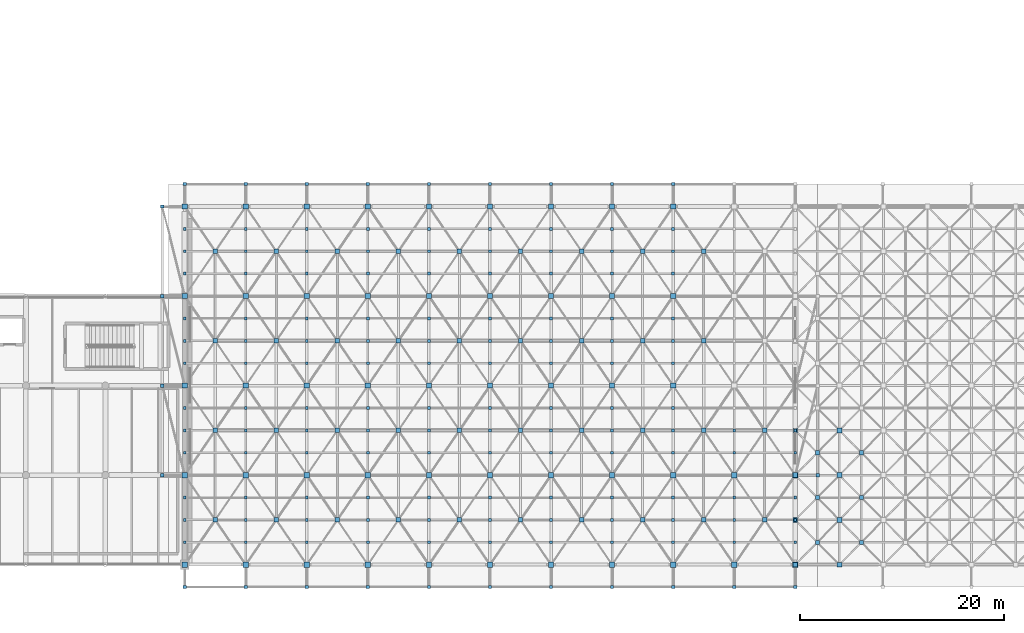
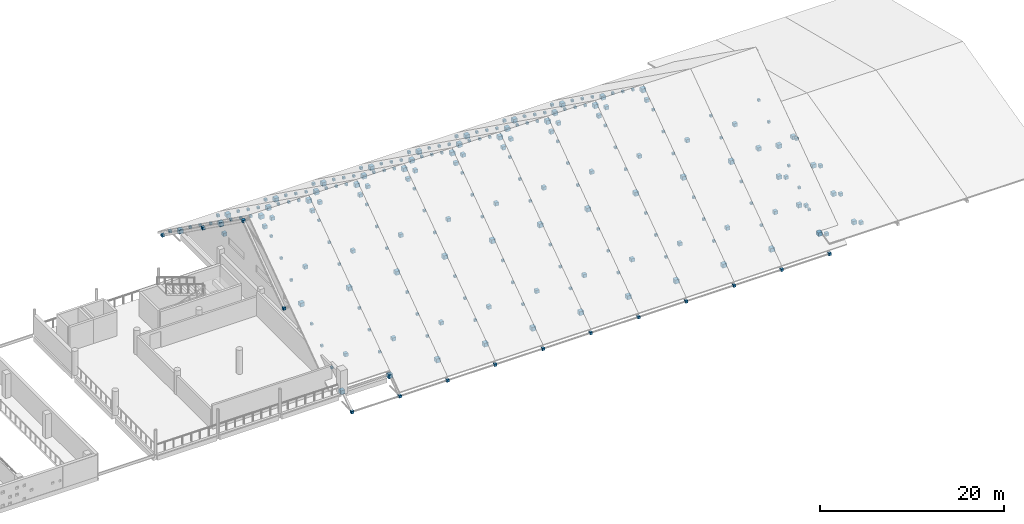
# One storey, part 37 of 55: 244 plates.
"""IFC4 building model written with IfcOpenShell, lengths in metres."""

from ifc_helpers import new_model, si_unit, direction, frame, origin, origin_2d, place, context, subcontext, project, spatial, rectangle, extrude, material, layer, layer_set, type_object, element, save


model = new_model("IFC4")

# Units and contexts
model_context = context("Model", 3, precision=1e-05, world=origin(), true_north=direction((0.0, 1.0)))
body_context = subcontext(model_context, "Body", "Model", "MODEL_VIEW")
ifc_project = project(units=[si_unit("LENGTHUNIT", "METRE"), si_unit("AREAUNIT", "SQUARE_METRE"), si_unit("VOLUMEUNIT", "CUBIC_METRE"), si_unit("PLANEANGLEUNIT", "RADIAN"), si_unit("MASSUNIT", "GRAM", prefix="KILO")], contexts=[model_context])

# Site, building, storey
site_placement = place(None, origin())
site = spatial("IfcSite", under=ifc_project, at=site_placement, CompositionType="ELEMENT")
building_placement = place(site_placement, origin())
building = spatial("IfcBuilding", under=site, at=building_placement, Name="Varnakota Cinema and Media Centre", CompositionType="ELEMENT")
storey_placement = place(building_placement, frame((0.0, 0.0, 15.60009765625)))
storey = spatial("IfcBuildingStorey", under=building, at=storey_placement, Name="L04", CompositionType="ELEMENT", Elevation=15.60009765625)

# Plates
ifc_material_1 = material(Name="Structural steel Grade 350 (E350)", Category="steel")
ifc_layer_1 = layer(ifc_material_1, 0.01611328125)
ifc_layer_set_1 = layer_set([ifc_layer_1], Name="Structural steel Grade 350 (E350)")
plate_type_1 = type_object("IfcPlateType", Name="PL-NODE-16", PredefinedType="SHEET", material=ifc_layer_set_1)
for number, where, z_axis, x_axis, name in (
    (1, (75.0, -2.199951171875, -1.43505859375), (0.0, 0.0, 1.0), (1.0, 0.0, 0.0), "V1 S eave tip node 1"),
    (2, (75.0, 37.39990234375, -1.43505859375), (0.0, 0.0, 1.0), (1.0, 0.0, 0.0), "V1 N eave tip node 1"),
    (3, (81.0, -2.199951171875, -1.43505859375), (0.0, 0.0, 1.0), (1.0, 0.0, 0.0), "V1 S eave tip node 2"),
    (4, (81.0, 37.39990234375, -1.43505859375), (0.0, 0.0, 1.0), (1.0, 0.0, 0.0), "V1 N eave tip node 2"),
    (5, (87.0, -2.199951171875, -1.43505859375), (0.0, 0.0, 1.0), (1.0, 0.0, 0.0), "V1 S eave tip node 3"),
    (6, (87.0, 37.39990234375, -1.43505859375), (0.0, 0.0, 1.0), (1.0, 0.0, 0.0), "V1 N eave tip node 3"),
    (7, (93.0, -2.199951171875, -1.43505859375), (0.0, 0.0, 1.0), (1.0, 0.0, 0.0), "V1 S eave tip node 4"),
    (8, (93.0, 37.39990234375, -1.43505859375), (0.0, 0.0, 1.0), (1.0, 0.0, 0.0), "V1 N eave tip node 4"),
    (9, (99.0, -2.199951171875, -1.43505859375), (0.0, 0.0, 1.0), (1.0, 0.0, 0.0), "V1 S eave tip node 5"),
    (10, (99.0, 37.39990234375, -1.43505859375), (0.0, 0.0, 1.0), (1.0, 0.0, 0.0), "V1 N eave tip node 5"),
    (11, (105.0, -2.199951171875, -1.43505859375), (0.0, 0.0, 1.0), (1.0, 0.0, 0.0), "V1 S eave tip node 6"),
    (12, (105.0, 37.39990234375, -1.43505859375), (0.0, 0.0, 1.0), (1.0, 0.0, 0.0), "V1 N eave tip node 6"),
    (13, (111.0, -2.199951171875, -1.43505859375), (0.0, 0.0, 1.0), (1.0, 0.0, 0.0), "V1 S eave tip node 7"),
    (14, (111.0, 37.39990234375, -1.43505859375), (0.0, 0.0, 1.0), (1.0, 0.0, 0.0), "V1 N eave tip node 7"),
    (15, (117.0, -2.199951171875, -1.43505859375), (0.0, 0.0, 1.0), (1.0, 0.0, 0.0), "V1 S eave tip node 8"),
    (16, (117.0, 37.39990234375, -1.43505859375), (0.0, 0.0, 1.0), (1.0, 0.0, 0.0), "V1 N eave tip node 8"),
    (17, (123.0, -2.199951171875, -1.43505859375), (0.0, 0.0, 1.0), (1.0, 0.0, 0.0), "V1 S eave tip node 9"),
    (18, (123.0, 37.39990234375, -1.43505859375), (0.0, 0.0, 1.0), (1.0, 0.0, 0.0), "V1 N eave tip node 9"),
    (19, (129.0, -2.199951171875, -1.43505859375), (0.0, 0.0, 1.0), (1.0, 0.0, 0.0), "V1 S eave tip node 10"),
    (20, (135.0, -2.199951171875, -1.43505859375), (0.0, 0.0, 1.0), (1.0, 0.0, 0.0), "V1 S eave tip node 11"),
):
    element("IfcPlate", number, at=place(storey_placement, frame(where, z_axis=z_axis, x_axis=x_axis)), inside=storey, type_object=plate_type_1, Name=name, PredefinedType="SHEET", context=body_context, shape_type="SweptSolid", body=[
        extrude(rectangle(XDim=0.320068359375, YDim=0.320068359375, at=origin_2d()), origin(), (0.0, 0.0, 1.0), 0.320068359375),
    ])
for number, where, z_axis, x_axis, name in (
    (21, (72.800048828125, 8.800048828125, 6.4296875), (0.0, 0.0, 1.0), (1.0, 0.0, 0.0), "V1 W gable outrigger node 2"),
    (22, (72.800048828125, 17.60009765625, 12.72998046875), (0.0, 0.0, 1.0), (1.0, 0.0, 0.0), "V1 W gable outrigger node 3"),
    (23, (72.800048828125, 26.39990234375, 6.4296875), (0.0, 0.0, 1.0), (1.0, 0.0, 0.0), "V1 W gable outrigger node 4"),
    (24, (72.800048828125, 35.199951171875, 0.1298828125), (0.0, 0.0, 1.0), (1.0, 0.0, 0.0), "V1 W gable outrigger node 5"),
    (25, (137.199951171875, 8.800048828125, 6.4296875), (0.0, 0.0, 1.0), (1.0, 0.0, 0.0), "V1 E gable outrigger node 2"),
):
    element("IfcPlate", number, at=place(storey_placement, frame(where, z_axis=z_axis, x_axis=x_axis)), inside=storey, type_object=plate_type_1, Name=name, PredefinedType="SHEET", context=body_context, shape_type="SweptSolid", body=[
        extrude(rectangle(XDim=0.340087890625, YDim=0.340087890625, at=origin_2d()), origin(), (0.0, 0.0, 1.0), 0.340087890625),
    ])
for number, where, z_axis, x_axis, name in (
    (26, (75.0, 2.199951171875, 1.81494140625), (0.0, 0.0, 1.0), (1.0, 0.0, 0.0), "V1 purlin node plate 1.1"),
    (27, (81.0, 2.199951171875, 1.81494140625), (0.0, 0.0, 1.0), (1.0, 0.0, 0.0), "V1 purlin node plate 1.2"),
    (28, (87.0, 2.199951171875, 1.81494140625), (0.0, 0.0, 1.0), (1.0, 0.0, 0.0), "V1 purlin node plate 1.3"),
    (29, (93.0, 2.199951171875, 1.81494140625), (0.0, 0.0, 1.0), (1.0, 0.0, 0.0), "V1 purlin node plate 1.4"),
    (30, (99.0, 2.199951171875, 1.81494140625), (0.0, 0.0, 1.0), (1.0, 0.0, 0.0), "V1 purlin node plate 1.5"),
    (31, (105.0, 2.199951171875, 1.81494140625), (0.0, 0.0, 1.0), (1.0, 0.0, 0.0), "V1 purlin node plate 1.6"),
    (32, (111.0, 2.199951171875, 1.81494140625), (0.0, 0.0, 1.0), (1.0, 0.0, 0.0), "V1 purlin node plate 1.7"),
    (33, (117.0, 2.199951171875, 1.81494140625), (0.0, 0.0, 1.0), (1.0, 0.0, 0.0), "V1 purlin node plate 1.8"),
    (34, (123.0, 2.199951171875, 1.81494140625), (0.0, 0.0, 1.0), (1.0, 0.0, 0.0), "V1 purlin node plate 1.9"),
    (35, (129.0, 2.199951171875, 1.81494140625), (0.0, 0.0, 1.0), (1.0, 0.0, 0.0), "V1 purlin node plate 1.10"),
    (36, (135.0, 2.199951171875, 1.81494140625), (0.0, 0.0, 1.0), (1.0, 0.0, 0.0), "V1 purlin node plate 1.11"),
    (37, (75.0, 4.39990234375, 3.3896484375), (0.0, 0.0, 1.0), (1.0, 0.0, 0.0), "V1 purlin node plate 2.1"),
    (38, (81.0, 4.39990234375, 3.3896484375), (0.0, 0.0, 1.0), (1.0, 0.0, 0.0), "V1 purlin node plate 2.2"),
    (39, (87.0, 4.39990234375, 3.3896484375), (0.0, 0.0, 1.0), (1.0, 0.0, 0.0), "V1 purlin node plate 2.3"),
    (40, (93.0, 4.39990234375, 3.3896484375), (0.0, 0.0, 1.0), (1.0, 0.0, 0.0), "V1 purlin node plate 2.4"),
    (41, (99.0, 4.39990234375, 3.3896484375), (0.0, 0.0, 1.0), (1.0, 0.0, 0.0), "V1 purlin node plate 2.5"),
    (42, (105.0, 4.39990234375, 3.3896484375), (0.0, 0.0, 1.0), (1.0, 0.0, 0.0), "V1 purlin node plate 2.6"),
    (43, (111.0, 4.39990234375, 3.3896484375), (0.0, 0.0, 1.0), (1.0, 0.0, 0.0), "V1 purlin node plate 2.7"),
    (44, (117.0, 4.39990234375, 3.3896484375), (0.0, 0.0, 1.0), (1.0, 0.0, 0.0), "V1 purlin node plate 2.8"),
    (45, (123.0, 4.39990234375, 3.3896484375), (0.0, 0.0, 1.0), (1.0, 0.0, 0.0), "V1 purlin node plate 2.9"),
    (46, (129.0, 4.39990234375, 3.3896484375), (0.0, 0.0, 1.0), (1.0, 0.0, 0.0), "V1 purlin node plate 2.10"),
    (47, (135.0, 4.39990234375, 3.3896484375), (0.0, 0.0, 1.0), (1.0, 0.0, 0.0), "V1 purlin node plate 2.11"),
    (48, (75.0, 6.60009765625, 4.96484375), (0.0, 0.0, 1.0), (1.0, 0.0, 0.0), "V1 purlin node plate 3.1"),
    (49, (81.0, 6.60009765625, 4.96484375), (0.0, 0.0, 1.0), (1.0, 0.0, 0.0), "V1 purlin node plate 3.2"),
    (50, (87.0, 6.60009765625, 4.96484375), (0.0, 0.0, 1.0), (1.0, 0.0, 0.0), "V1 purlin node plate 3.3"),
    (51, (93.0, 6.60009765625, 4.96484375), (0.0, 0.0, 1.0), (1.0, 0.0, 0.0), "V1 purlin node plate 3.4"),
    (52, (99.0, 6.60009765625, 4.96484375), (0.0, 0.0, 1.0), (1.0, 0.0, 0.0), "V1 purlin node plate 3.5"),
    (53, (105.0, 6.60009765625, 4.96484375), (0.0, 0.0, 1.0), (1.0, 0.0, 0.0), "V1 purlin node plate 3.6"),
    (54, (111.0, 6.60009765625, 4.96484375), (0.0, 0.0, 1.0), (1.0, 0.0, 0.0), "V1 purlin node plate 3.7"),
    (55, (117.0, 6.60009765625, 4.96484375), (0.0, 0.0, 1.0), (1.0, 0.0, 0.0), "V1 purlin node plate 3.8"),
    (56, (123.0, 6.60009765625, 4.96484375), (0.0, 0.0, 1.0), (1.0, 0.0, 0.0), "V1 purlin node plate 3.9"),
    (57, (129.0, 6.60009765625, 4.96484375), (0.0, 0.0, 1.0), (1.0, 0.0, 0.0), "V1 purlin node plate 3.10"),
    (58, (135.0, 6.60009765625, 4.96484375), (0.0, 0.0, 1.0), (1.0, 0.0, 0.0), "V1 purlin node plate 3.11"),
    (59, (75.0, 11.0, 8.11474609375), (0.0, 0.0, 1.0), (1.0, 0.0, 0.0), "V1 purlin node plate 4.1"),
    (60, (81.0, 11.0, 8.11474609375), (0.0, 0.0, 1.0), (1.0, 0.0, 0.0), "V1 purlin node plate 4.2"),
    (61, (87.0, 11.0, 8.11474609375), (0.0, 0.0, 1.0), (1.0, 0.0, 0.0), "V1 purlin node plate 4.3"),
    (62, (93.0, 11.0, 8.11474609375), (0.0, 0.0, 1.0), (1.0, 0.0, 0.0), "V1 purlin node plate 4.4"),
    (63, (99.0, 11.0, 8.11474609375), (0.0, 0.0, 1.0), (1.0, 0.0, 0.0), "V1 purlin node plate 4.5"),
    (64, (105.0, 11.0, 8.11474609375), (0.0, 0.0, 1.0), (1.0, 0.0, 0.0), "V1 purlin node plate 4.6"),
    (65, (111.0, 11.0, 8.11474609375), (0.0, 0.0, 1.0), (1.0, 0.0, 0.0), "V1 purlin node plate 4.7"),
    (66, (117.0, 11.0, 8.11474609375), (0.0, 0.0, 1.0), (1.0, 0.0, 0.0), "V1 purlin node plate 4.8"),
    (67, (123.0, 11.0, 8.11474609375), (0.0, 0.0, 1.0), (1.0, 0.0, 0.0), "V1 purlin node plate 4.9"),
    (68, (129.0, 11.0, 8.11474609375), (0.0, 0.0, 1.0), (1.0, 0.0, 0.0), "V1 purlin node plate 4.10"),
    (69, (135.0, 11.0, 8.11474609375), (0.0, 0.0, 1.0), (1.0, 0.0, 0.0), "V1 purlin node plate 4.11"),
    (70, (75.0, 13.199951171875, 9.68994140625), (0.0, 0.0, 1.0), (1.0, 0.0, 0.0), "V1 purlin node plate 5.1"),
    (71, (81.0, 13.199951171875, 9.68994140625), (0.0, 0.0, 1.0), (1.0, 0.0, 0.0), "V1 purlin node plate 5.2"),
    (72, (87.0, 13.199951171875, 9.68994140625), (0.0, 0.0, 1.0), (1.0, 0.0, 0.0), "V1 purlin node plate 5.3"),
    (73, (93.0, 13.199951171875, 9.68994140625), (0.0, 0.0, 1.0), (1.0, 0.0, 0.0), "V1 purlin node plate 5.4"),
    (74, (99.0, 13.199951171875, 9.68994140625), (0.0, 0.0, 1.0), (1.0, 0.0, 0.0), "V1 purlin node plate 5.5"),
    (75, (105.0, 13.199951171875, 9.68994140625), (0.0, 0.0, 1.0), (1.0, 0.0, 0.0), "V1 purlin node plate 5.6"),
    (76, (111.0, 13.199951171875, 9.68994140625), (0.0, 0.0, 1.0), (1.0, 0.0, 0.0), "V1 purlin node plate 5.7"),
    (77, (117.0, 13.199951171875, 9.68994140625), (0.0, 0.0, 1.0), (1.0, 0.0, 0.0), "V1 purlin node plate 5.8"),
    (78, (123.0, 13.199951171875, 9.68994140625), (0.0, 0.0, 1.0), (1.0, 0.0, 0.0), "V1 purlin node plate 5.9"),
    (79, (129.0, 13.199951171875, 9.68994140625), (0.0, 0.0, 1.0), (1.0, 0.0, 0.0), "V1 purlin node plate 5.10"),
    (80, (135.0, 13.199951171875, 9.68994140625), (0.0, 0.0, 1.0), (1.0, 0.0, 0.0), "V1 purlin node plate 5.11"),
    (81, (75.0, 15.39990234375, 11.2646484375), (0.0, 0.0, 1.0), (1.0, 0.0, 0.0), "V1 purlin node plate 6.1"),
    (82, (81.0, 15.39990234375, 11.2646484375), (0.0, 0.0, 1.0), (1.0, 0.0, 0.0), "V1 purlin node plate 6.2"),
    (83, (87.0, 15.39990234375, 11.2646484375), (0.0, 0.0, 1.0), (1.0, 0.0, 0.0), "V1 purlin node plate 6.3"),
    (84, (93.0, 15.39990234375, 11.2646484375), (0.0, 0.0, 1.0), (1.0, 0.0, 0.0), "V1 purlin node plate 6.4"),
    (85, (99.0, 15.39990234375, 11.2646484375), (0.0, 0.0, 1.0), (1.0, 0.0, 0.0), "V1 purlin node plate 6.5"),
    (86, (105.0, 15.39990234375, 11.2646484375), (0.0, 0.0, 1.0), (1.0, 0.0, 0.0), "V1 purlin node plate 6.6"),
    (87, (111.0, 15.39990234375, 11.2646484375), (0.0, 0.0, 1.0), (1.0, 0.0, 0.0), "V1 purlin node plate 6.7"),
    (88, (117.0, 15.39990234375, 11.2646484375), (0.0, 0.0, 1.0), (1.0, 0.0, 0.0), "V1 purlin node plate 6.8"),
    (89, (123.0, 15.39990234375, 11.2646484375), (0.0, 0.0, 1.0), (1.0, 0.0, 0.0), "V1 purlin node plate 6.9"),
    (90, (75.0, 19.800048828125, 11.2646484375), (0.0, 0.0, 1.0), (1.0, 0.0, 0.0), "V1 purlin node plate 7.1"),
    (91, (81.0, 19.800048828125, 11.2646484375), (0.0, 0.0, 1.0), (1.0, 0.0, 0.0), "V1 purlin node plate 7.2"),
    (92, (87.0, 19.800048828125, 11.2646484375), (0.0, 0.0, 1.0), (1.0, 0.0, 0.0), "V1 purlin node plate 7.3"),
    (93, (93.0, 19.800048828125, 11.2646484375), (0.0, 0.0, 1.0), (1.0, 0.0, 0.0), "V1 purlin node plate 7.4"),
    (94, (99.0, 19.800048828125, 11.2646484375), (0.0, 0.0, 1.0), (1.0, 0.0, 0.0), "V1 purlin node plate 7.5"),
    (95, (105.0, 19.800048828125, 11.2646484375), (0.0, 0.0, 1.0), (1.0, 0.0, 0.0), "V1 purlin node plate 7.6"),
    (96, (111.0, 19.800048828125, 11.2646484375), (0.0, 0.0, 1.0), (1.0, 0.0, 0.0), "V1 purlin node plate 7.7"),
    (97, (117.0, 19.800048828125, 11.2646484375), (0.0, 0.0, 1.0), (1.0, 0.0, 0.0), "V1 purlin node plate 7.8"),
    (98, (123.0, 19.800048828125, 11.2646484375), (0.0, 0.0, 1.0), (1.0, 0.0, 0.0), "V1 purlin node plate 7.9"),
    (99, (75.0, 22.0, 9.68994140625), (0.0, 0.0, 1.0), (1.0, 0.0, 0.0), "V1 purlin node plate 8.1"),
    (100, (81.0, 22.0, 9.68994140625), (0.0, 0.0, 1.0), (1.0, 0.0, 0.0), "V1 purlin node plate 8.2"),
    (101, (87.0, 22.0, 9.68994140625), (0.0, 0.0, 1.0), (1.0, 0.0, 0.0), "V1 purlin node plate 8.3"),
    (102, (93.0, 22.0, 9.68994140625), (0.0, 0.0, 1.0), (1.0, 0.0, 0.0), "V1 purlin node plate 8.4"),
    (103, (99.0, 22.0, 9.68994140625), (0.0, 0.0, 1.0), (1.0, 0.0, 0.0), "V1 purlin node plate 8.5"),
    (104, (105.0, 22.0, 9.68994140625), (0.0, 0.0, 1.0), (1.0, 0.0, 0.0), "V1 purlin node plate 8.6"),
    (105, (111.0, 22.0, 9.68994140625), (0.0, 0.0, 1.0), (1.0, 0.0, 0.0), "V1 purlin node plate 8.7"),
    (106, (117.0, 22.0, 9.68994140625), (0.0, 0.0, 1.0), (1.0, 0.0, 0.0), "V1 purlin node plate 8.8"),
    (107, (123.0, 22.0, 9.68994140625), (0.0, 0.0, 1.0), (1.0, 0.0, 0.0), "V1 purlin node plate 8.9"),
    (108, (75.0, 24.199951171875, 8.11474609375), (0.0, 0.0, 1.0), (1.0, 0.0, 0.0), "V1 purlin node plate 9.1"),
    (109, (81.0, 24.199951171875, 8.11474609375), (0.0, 0.0, 1.0), (1.0, 0.0, 0.0), "V1 purlin node plate 9.2"),
    (110, (87.0, 24.199951171875, 8.11474609375), (0.0, 0.0, 1.0), (1.0, 0.0, 0.0), "V1 purlin node plate 9.3"),
    (111, (93.0, 24.199951171875, 8.11474609375), (0.0, 0.0, 1.0), (1.0, 0.0, 0.0), "V1 purlin node plate 9.4"),
    (112, (99.0, 24.199951171875, 8.11474609375), (0.0, 0.0, 1.0), (1.0, 0.0, 0.0), "V1 purlin node plate 9.5"),
    (113, (105.0, 24.199951171875, 8.11474609375), (0.0, 0.0, 1.0), (1.0, 0.0, 0.0), "V1 purlin node plate 9.6"),
    (114, (111.0, 24.199951171875, 8.11474609375), (0.0, 0.0, 1.0), (1.0, 0.0, 0.0), "V1 purlin node plate 9.7"),
    (115, (117.0, 24.199951171875, 8.11474609375), (0.0, 0.0, 1.0), (1.0, 0.0, 0.0), "V1 purlin node plate 9.8"),
    (116, (123.0, 24.199951171875, 8.11474609375), (0.0, 0.0, 1.0), (1.0, 0.0, 0.0), "V1 purlin node plate 9.9"),
    (117, (75.0, 28.60009765625, 4.96484375), (0.0, 0.0, 1.0), (1.0, 0.0, 0.0), "V1 purlin node plate 10.1"),
    (118, (81.0, 28.60009765625, 4.96484375), (0.0, 0.0, 1.0), (1.0, 0.0, 0.0), "V1 purlin node plate 10.2"),
    (119, (87.0, 28.60009765625, 4.96484375), (0.0, 0.0, 1.0), (1.0, 0.0, 0.0), "V1 purlin node plate 10.3"),
    (120, (93.0, 28.60009765625, 4.96484375), (0.0, 0.0, 1.0), (1.0, 0.0, 0.0), "V1 purlin node plate 10.4"),
    (121, (99.0, 28.60009765625, 4.96484375), (0.0, 0.0, 1.0), (1.0, 0.0, 0.0), "V1 purlin node plate 10.5"),
    (122, (105.0, 28.60009765625, 4.96484375), (0.0, 0.0, 1.0), (1.0, 0.0, 0.0), "V1 purlin node plate 10.6"),
    (123, (111.0, 28.60009765625, 4.96484375), (0.0, 0.0, 1.0), (1.0, 0.0, 0.0), "V1 purlin node plate 10.7"),
    (124, (117.0, 28.60009765625, 4.96484375), (0.0, 0.0, 1.0), (1.0, 0.0, 0.0), "V1 purlin node plate 10.8"),
    (125, (123.0, 28.60009765625, 4.96484375), (0.0, 0.0, 1.0), (1.0, 0.0, 0.0), "V1 purlin node plate 10.9"),
    (126, (75.0, 30.800048828125, 3.3896484375), (0.0, 0.0, 1.0), (1.0, 0.0, 0.0), "V1 purlin node plate 11.1"),
    (127, (81.0, 30.800048828125, 3.3896484375), (0.0, 0.0, 1.0), (1.0, 0.0, 0.0), "V1 purlin node plate 11.2"),
    (128, (87.0, 30.800048828125, 3.3896484375), (0.0, 0.0, 1.0), (1.0, 0.0, 0.0), "V1 purlin node plate 11.3"),
    (129, (93.0, 30.800048828125, 3.3896484375), (0.0, 0.0, 1.0), (1.0, 0.0, 0.0), "V1 purlin node plate 11.4"),
    (130, (99.0, 30.800048828125, 3.3896484375), (0.0, 0.0, 1.0), (1.0, 0.0, 0.0), "V1 purlin node plate 11.5"),
    (131, (105.0, 30.800048828125, 3.3896484375), (0.0, 0.0, 1.0), (1.0, 0.0, 0.0), "V1 purlin node plate 11.6"),
    (132, (111.0, 30.800048828125, 3.3896484375), (0.0, 0.0, 1.0), (1.0, 0.0, 0.0), "V1 purlin node plate 11.7"),
    (133, (117.0, 30.800048828125, 3.3896484375), (0.0, 0.0, 1.0), (1.0, 0.0, 0.0), "V1 purlin node plate 11.8"),
    (134, (123.0, 30.800048828125, 3.3896484375), (0.0, 0.0, 1.0), (1.0, 0.0, 0.0), "V1 purlin node plate 11.9"),
    (135, (75.0, 33.0, 1.81494140625), (0.0, 0.0, 1.0), (1.0, 0.0, 0.0), "V1 purlin node plate 12.1"),
    (136, (81.0, 33.0, 1.81494140625), (0.0, 0.0, 1.0), (1.0, 0.0, 0.0), "V1 purlin node plate 12.2"),
    (137, (87.0, 33.0, 1.81494140625), (0.0, 0.0, 1.0), (1.0, 0.0, 0.0), "V1 purlin node plate 12.3"),
    (138, (93.0, 33.0, 1.81494140625), (0.0, 0.0, 1.0), (1.0, 0.0, 0.0), "V1 purlin node plate 12.4"),
    (139, (99.0, 33.0, 1.81494140625), (0.0, 0.0, 1.0), (1.0, 0.0, 0.0), "V1 purlin node plate 12.5"),
    (140, (105.0, 33.0, 1.81494140625), (0.0, 0.0, 1.0), (1.0, 0.0, 0.0), "V1 purlin node plate 12.6"),
    (141, (111.0, 33.0, 1.81494140625), (0.0, 0.0, 1.0), (1.0, 0.0, 0.0), "V1 purlin node plate 12.7"),
    (142, (117.0, 33.0, 1.81494140625), (0.0, 0.0, 1.0), (1.0, 0.0, 0.0), "V1 purlin node plate 12.8"),
    (143, (123.0, 33.0, 1.81494140625), (0.0, 0.0, 1.0), (1.0, 0.0, 0.0), "V1 purlin node plate 12.9"),
):
    element("IfcPlate", number, at=place(storey_placement, frame(where, z_axis=z_axis, x_axis=x_axis)), inside=storey, type_object=plate_type_1, Name=name, PredefinedType="SHEET", context=body_context, shape_type="SweptSolid", body=[
        extrude(rectangle(XDim=0.280029296875, YDim=0.280029296875, at=origin_2d()), origin(), (0.0, 0.0, 1.0), 0.280029296875),
    ])
for number, where, z_axis, x_axis, name in (
    (144, (137.166748046875, 2.199951171875, -2.25), (0.0, 0.0, 1.0), (1.0, 0.0, 0.0), "V2 studio truss bottom node SN3 0-0"),
    (145, (137.166748046875, 6.60009765625, -1.150146484375), (0.0, 0.0, 1.0), (1.0, 0.0, 0.0), "V2 studio truss bottom node SN3 0-1"),
    (146, (137.166748046875, 11.0, -0.050048828125), (0.0, 0.0, 1.0), (1.0, 0.0, 0.0), "V2 studio truss bottom node SN3 0-2"),
    (147, (141.5, 2.199951171875, -2.25), (0.0, 0.0, 1.0), (1.0, 0.0, 0.0), "V2 studio truss bottom node SN3 1-0"),
    (148, (141.5, 6.60009765625, -1.150146484375), (0.0, 0.0, 1.0), (1.0, 0.0, 0.0), "V2 studio truss bottom node SN3 1-1"),
    (149, (141.5, 11.0, -0.050048828125), (0.0, 0.0, 1.0), (1.0, 0.0, 0.0), "V2 studio truss bottom node SN3 1-2"),
):
    element("IfcPlate", number, at=place(storey_placement, frame(where, z_axis=z_axis, x_axis=x_axis)), inside=storey, type_object=plate_type_1, Name=name, PredefinedType="SHEET", context=body_context, shape_type="SweptSolid", body=[
        extrude(rectangle(XDim=0.39990234375, YDim=0.39990234375, at=origin_2d()), origin(), (0.0, 0.0, 1.0), 0.39990234375),
    ])
ifc_material_2 = material(Name="Structural steel Grade 350 (E350)", Category="steel")
ifc_layer_2 = layer(ifc_material_2, 0.01806640625)
ifc_layer_set_2 = layer_set([ifc_layer_2], Name="Structural steel Grade 350 (E350)")
plate_type_2 = type_object("IfcPlateType", Name="PL-NODE-18", PredefinedType="SHEET", material=ifc_layer_set_2)
for number, where, z_axis, x_axis, name in (
    (150, (75.0, 8.800048828125, 6.179931640625), (0.0, 0.0, 1.0), (1.0, 0.0, 0.0), "V1 space-frame top node SN1 0-1"),
    (151, (75.0, 26.39990234375, 6.179931640625), (0.0, 0.0, 1.0), (1.0, 0.0, 0.0), "V1 space-frame top node SN1 0-3"),
    (152, (81.0, 8.800048828125, 6.179931640625), (0.0, 0.0, 1.0), (1.0, 0.0, 0.0), "V1 space-frame top node SN1 1-1"),
    (153, (81.0, 26.39990234375, 6.179931640625), (0.0, 0.0, 1.0), (1.0, 0.0, 0.0), "V1 space-frame top node SN1 1-3"),
    (154, (87.0, 8.800048828125, 6.179931640625), (0.0, 0.0, 1.0), (1.0, 0.0, 0.0), "V1 space-frame top node SN1 2-1"),
    (155, (87.0, 26.39990234375, 6.179931640625), (0.0, 0.0, 1.0), (1.0, 0.0, 0.0), "V1 space-frame top node SN1 2-3"),
    (156, (93.0, 8.800048828125, 6.179931640625), (0.0, 0.0, 1.0), (1.0, 0.0, 0.0), "V1 space-frame top node SN1 3-1"),
    (157, (93.0, 26.39990234375, 6.179931640625), (0.0, 0.0, 1.0), (1.0, 0.0, 0.0), "V1 space-frame top node SN1 3-3"),
    (158, (99.0, 8.800048828125, 6.179931640625), (0.0, 0.0, 1.0), (1.0, 0.0, 0.0), "V1 space-frame top node SN1 4-1"),
    (159, (99.0, 26.39990234375, 6.179931640625), (0.0, 0.0, 1.0), (1.0, 0.0, 0.0), "V1 space-frame top node SN1 4-3"),
    (160, (105.0, 8.800048828125, 6.179931640625), (0.0, 0.0, 1.0), (1.0, 0.0, 0.0), "V1 space-frame top node SN1 5-1"),
    (161, (105.0, 26.39990234375, 6.179931640625), (0.0, 0.0, 1.0), (1.0, 0.0, 0.0), "V1 space-frame top node SN1 5-3"),
    (162, (111.0, 8.800048828125, 6.179931640625), (0.0, 0.0, 1.0), (1.0, 0.0, 0.0), "V1 space-frame top node SN1 6-1"),
    (163, (111.0, 26.39990234375, 6.179931640625), (0.0, 0.0, 1.0), (1.0, 0.0, 0.0), "V1 space-frame top node SN1 6-3"),
    (164, (117.0, 8.800048828125, 6.179931640625), (0.0, 0.0, 1.0), (1.0, 0.0, 0.0), "V1 space-frame top node SN1 7-1"),
    (165, (117.0, 26.39990234375, 6.179931640625), (0.0, 0.0, 1.0), (1.0, 0.0, 0.0), "V1 space-frame top node SN1 7-3"),
    (166, (123.0, 8.800048828125, 6.179931640625), (0.0, 0.0, 1.0), (1.0, 0.0, 0.0), "V1 space-frame top node SN1 8-1"),
    (167, (123.0, 26.39990234375, 6.179931640625), (0.0, 0.0, 1.0), (1.0, 0.0, 0.0), "V1 space-frame top node SN1 8-3"),
    (168, (129.0, 8.800048828125, 6.179931640625), (0.0, 0.0, 1.0), (1.0, 0.0, 0.0), "V1 space-frame top node SN1 9-1"),
    (169, (135.0, 8.800048828125, 6.179931640625), (0.0, 0.0, 1.0), (1.0, 0.0, 0.0), "V1 space-frame top node SN1 10-1"),
):
    element("IfcPlate", number, at=place(storey_placement, frame(where, z_axis=z_axis, x_axis=x_axis)), inside=storey, type_object=plate_type_2, Name=name, PredefinedType="SHEET", context=body_context, shape_type="SweptSolid", body=[
        extrude(rectangle(XDim=0.52001953125, YDim=0.52001953125, at=origin_2d()), origin(), (0.0, 0.0, 1.0), 0.52001953125),
    ])
ifc_material_3 = material(Name="Structural steel Grade 350 (E350)", Category="steel")
ifc_layer_3 = layer(ifc_material_3, 0.02001953125)
ifc_layer_set_3 = layer_set([ifc_layer_3], Name="Structural steel Grade 350 (E350)")
plate_type_3 = type_object("IfcPlateType", Name="PL-NODE-20", PredefinedType="SHEET", material=ifc_layer_set_3)
for number, where, z_axis, x_axis, name in (
    (170, (75.0, 0.0, -0.1201171875), (0.0, 0.0, 1.0), (1.0, 0.0, 0.0), "V1 space-frame top node SN1 0-0"),
    (171, (75.0, 17.60009765625, 12.47998046875), (0.0, 0.0, 1.0), (1.0, 0.0, 0.0), "V1 space-frame top node SN1 0-2"),
    (172, (75.0, 35.199951171875, -0.1201171875), (0.0, 0.0, 1.0), (1.0, 0.0, 0.0), "V1 space-frame top node SN1 0-4"),
    (173, (81.0, 0.0, -0.1201171875), (0.0, 0.0, 1.0), (1.0, 0.0, 0.0), "V1 space-frame top node SN1 1-0"),
    (174, (81.0, 17.60009765625, 12.47998046875), (0.0, 0.0, 1.0), (1.0, 0.0, 0.0), "V1 space-frame top node SN1 1-2"),
    (175, (81.0, 35.199951171875, -0.1201171875), (0.0, 0.0, 1.0), (1.0, 0.0, 0.0), "V1 space-frame top node SN1 1-4"),
    (176, (87.0, 0.0, -0.1201171875), (0.0, 0.0, 1.0), (1.0, 0.0, 0.0), "V1 space-frame top node SN1 2-0"),
    (177, (87.0, 17.60009765625, 12.47998046875), (0.0, 0.0, 1.0), (1.0, 0.0, 0.0), "V1 space-frame top node SN1 2-2"),
    (178, (87.0, 35.199951171875, -0.1201171875), (0.0, 0.0, 1.0), (1.0, 0.0, 0.0), "V1 space-frame top node SN1 2-4"),
    (179, (93.0, 0.0, -0.1201171875), (0.0, 0.0, 1.0), (1.0, 0.0, 0.0), "V1 space-frame top node SN1 3-0"),
    (180, (93.0, 17.60009765625, 12.47998046875), (0.0, 0.0, 1.0), (1.0, 0.0, 0.0), "V1 space-frame top node SN1 3-2"),
    (181, (93.0, 35.199951171875, -0.1201171875), (0.0, 0.0, 1.0), (1.0, 0.0, 0.0), "V1 space-frame top node SN1 3-4"),
    (182, (99.0, 0.0, -0.1201171875), (0.0, 0.0, 1.0), (1.0, 0.0, 0.0), "V1 space-frame top node SN1 4-0"),
    (183, (99.0, 17.60009765625, 12.47998046875), (0.0, 0.0, 1.0), (1.0, 0.0, 0.0), "V1 space-frame top node SN1 4-2"),
    (184, (99.0, 35.199951171875, -0.1201171875), (0.0, 0.0, 1.0), (1.0, 0.0, 0.0), "V1 space-frame top node SN1 4-4"),
    (185, (105.0, 0.0, -0.1201171875), (0.0, 0.0, 1.0), (1.0, 0.0, 0.0), "V1 space-frame top node SN1 5-0"),
    (186, (105.0, 17.60009765625, 12.47998046875), (0.0, 0.0, 1.0), (1.0, 0.0, 0.0), "V1 space-frame top node SN1 5-2"),
    (187, (105.0, 35.199951171875, -0.1201171875), (0.0, 0.0, 1.0), (1.0, 0.0, 0.0), "V1 space-frame top node SN1 5-4"),
    (188, (111.0, 0.0, -0.1201171875), (0.0, 0.0, 1.0), (1.0, 0.0, 0.0), "V1 space-frame top node SN1 6-0"),
    (189, (111.0, 17.60009765625, 12.47998046875), (0.0, 0.0, 1.0), (1.0, 0.0, 0.0), "V1 space-frame top node SN1 6-2"),
    (190, (111.0, 35.199951171875, -0.1201171875), (0.0, 0.0, 1.0), (1.0, 0.0, 0.0), "V1 space-frame top node SN1 6-4"),
    (191, (117.0, 0.0, -0.1201171875), (0.0, 0.0, 1.0), (1.0, 0.0, 0.0), "V1 space-frame top node SN1 7-0"),
    (192, (117.0, 17.60009765625, 12.47998046875), (0.0, 0.0, 1.0), (1.0, 0.0, 0.0), "V1 space-frame top node SN1 7-2"),
    (193, (117.0, 35.199951171875, -0.1201171875), (0.0, 0.0, 1.0), (1.0, 0.0, 0.0), "V1 space-frame top node SN1 7-4"),
    (194, (123.0, 0.0, -0.1201171875), (0.0, 0.0, 1.0), (1.0, 0.0, 0.0), "V1 space-frame top node SN1 8-0"),
    (195, (123.0, 17.60009765625, 12.47998046875), (0.0, 0.0, 1.0), (1.0, 0.0, 0.0), "V1 space-frame top node SN1 8-2"),
    (196, (123.0, 35.199951171875, -0.1201171875), (0.0, 0.0, 1.0), (1.0, 0.0, 0.0), "V1 space-frame top node SN1 8-4"),
    (197, (129.0, 0.0, -0.1201171875), (0.0, 0.0, 1.0), (1.0, 0.0, 0.0), "V1 space-frame top node SN1 9-0"),
    (198, (135.0, 0.0, -0.1201171875), (0.0, 0.0, 1.0), (1.0, 0.0, 0.0), "V1 space-frame top node SN1 10-0"),
):
    element("IfcPlate", number, at=place(storey_placement, frame(where, z_axis=z_axis, x_axis=x_axis)), inside=storey, type_object=plate_type_3, Name=name, PredefinedType="SHEET", context=body_context, shape_type="SweptSolid", body=[
        extrude(rectangle(XDim=0.52001953125, YDim=0.52001953125, at=origin_2d()), origin(), (0.0, 0.0, 1.0), 0.52001953125),
    ])
for number, where, z_axis, x_axis, name in (
    (199, (78.0, 4.39990234375, 1.1298828125), (0.0, 0.0, 1.0), (1.0, 0.0, 0.0), "V1 space-frame bottom node SN2 0-0"),
    (200, (78.0, 13.199951171875, 7.429931640625), (0.0, 0.0, 1.0), (1.0, 0.0, 0.0), "V1 space-frame bottom node SN2 0-1"),
    (201, (78.0, 22.0, 7.429931640625), (0.0, 0.0, 1.0), (1.0, 0.0, 0.0), "V1 space-frame bottom node SN2 0-2"),
    (202, (78.0, 30.800048828125, 1.1298828125), (0.0, 0.0, 1.0), (1.0, 0.0, 0.0), "V1 space-frame bottom node SN2 0-3"),
    (203, (84.0, 4.39990234375, 1.1298828125), (0.0, 0.0, 1.0), (1.0, 0.0, 0.0), "V1 space-frame bottom node SN2 1-0"),
    (204, (84.0, 13.199951171875, 7.429931640625), (0.0, 0.0, 1.0), (1.0, 0.0, 0.0), "V1 space-frame bottom node SN2 1-1"),
    (205, (84.0, 22.0, 7.429931640625), (0.0, 0.0, 1.0), (1.0, 0.0, 0.0), "V1 space-frame bottom node SN2 1-2"),
    (206, (84.0, 30.800048828125, 1.1298828125), (0.0, 0.0, 1.0), (1.0, 0.0, 0.0), "V1 space-frame bottom node SN2 1-3"),
    (207, (90.0, 4.39990234375, 1.1298828125), (0.0, 0.0, 1.0), (1.0, 0.0, 0.0), "V1 space-frame bottom node SN2 2-0"),
    (208, (90.0, 13.199951171875, 7.429931640625), (0.0, 0.0, 1.0), (1.0, 0.0, 0.0), "V1 space-frame bottom node SN2 2-1"),
    (209, (90.0, 22.0, 7.429931640625), (0.0, 0.0, 1.0), (1.0, 0.0, 0.0), "V1 space-frame bottom node SN2 2-2"),
    (210, (90.0, 30.800048828125, 1.1298828125), (0.0, 0.0, 1.0), (1.0, 0.0, 0.0), "V1 space-frame bottom node SN2 2-3"),
    (211, (96.0, 4.39990234375, 1.1298828125), (0.0, 0.0, 1.0), (1.0, 0.0, 0.0), "V1 space-frame bottom node SN2 3-0"),
    (212, (96.0, 13.199951171875, 7.429931640625), (0.0, 0.0, 1.0), (1.0, 0.0, 0.0), "V1 space-frame bottom node SN2 3-1"),
    (213, (96.0, 22.0, 7.429931640625), (0.0, 0.0, 1.0), (1.0, 0.0, 0.0), "V1 space-frame bottom node SN2 3-2"),
    (214, (96.0, 30.800048828125, 1.1298828125), (0.0, 0.0, 1.0), (1.0, 0.0, 0.0), "V1 space-frame bottom node SN2 3-3"),
    (215, (102.0, 4.39990234375, 1.1298828125), (0.0, 0.0, 1.0), (1.0, 0.0, 0.0), "V1 space-frame bottom node SN2 4-0"),
    (216, (102.0, 13.199951171875, 7.429931640625), (0.0, 0.0, 1.0), (1.0, 0.0, 0.0), "V1 space-frame bottom node SN2 4-1"),
    (217, (102.0, 22.0, 7.429931640625), (0.0, 0.0, 1.0), (1.0, 0.0, 0.0), "V1 space-frame bottom node SN2 4-2"),
    (218, (102.0, 30.800048828125, 1.1298828125), (0.0, 0.0, 1.0), (1.0, 0.0, 0.0), "V1 space-frame bottom node SN2 4-3"),
    (219, (108.0, 4.39990234375, 1.1298828125), (0.0, 0.0, 1.0), (1.0, 0.0, 0.0), "V1 space-frame bottom node SN2 5-0"),
    (220, (108.0, 13.199951171875, 7.429931640625), (0.0, 0.0, 1.0), (1.0, 0.0, 0.0), "V1 space-frame bottom node SN2 5-1"),
    (221, (108.0, 22.0, 7.429931640625), (0.0, 0.0, 1.0), (1.0, 0.0, 0.0), "V1 space-frame bottom node SN2 5-2"),
    (222, (108.0, 30.800048828125, 1.1298828125), (0.0, 0.0, 1.0), (1.0, 0.0, 0.0), "V1 space-frame bottom node SN2 5-3"),
    (223, (114.0, 4.39990234375, 1.1298828125), (0.0, 0.0, 1.0), (1.0, 0.0, 0.0), "V1 space-frame bottom node SN2 6-0"),
    (224, (114.0, 13.199951171875, 7.429931640625), (0.0, 0.0, 1.0), (1.0, 0.0, 0.0), "V1 space-frame bottom node SN2 6-1"),
    (225, (114.0, 22.0, 7.429931640625), (0.0, 0.0, 1.0), (1.0, 0.0, 0.0), "V1 space-frame bottom node SN2 6-2"),
    (226, (114.0, 30.800048828125, 1.1298828125), (0.0, 0.0, 1.0), (1.0, 0.0, 0.0), "V1 space-frame bottom node SN2 6-3"),
    (227, (120.0, 4.39990234375, 1.1298828125), (0.0, 0.0, 1.0), (1.0, 0.0, 0.0), "V1 space-frame bottom node SN2 7-0"),
    (228, (120.0, 13.199951171875, 7.429931640625), (0.0, 0.0, 1.0), (1.0, 0.0, 0.0), "V1 space-frame bottom node SN2 7-1"),
    (229, (120.0, 22.0, 7.429931640625), (0.0, 0.0, 1.0), (1.0, 0.0, 0.0), "V1 space-frame bottom node SN2 7-2"),
    (230, (120.0, 30.800048828125, 1.1298828125), (0.0, 0.0, 1.0), (1.0, 0.0, 0.0), "V1 space-frame bottom node SN2 7-3"),
    (231, (126.0, 4.39990234375, 1.1298828125), (0.0, 0.0, 1.0), (1.0, 0.0, 0.0), "V1 space-frame bottom node SN2 8-0"),
    (232, (126.0, 13.199951171875, 7.429931640625), (0.0, 0.0, 1.0), (1.0, 0.0, 0.0), "V1 space-frame bottom node SN2 8-1"),
    (233, (126.0, 22.0, 7.429931640625), (0.0, 0.0, 1.0), (1.0, 0.0, 0.0), "V1 space-frame bottom node SN2 8-2"),
    (234, (126.0, 30.800048828125, 1.1298828125), (0.0, 0.0, 1.0), (1.0, 0.0, 0.0), "V1 space-frame bottom node SN2 8-3"),
    (235, (132.0, 4.39990234375, 1.1298828125), (0.0, 0.0, 1.0), (1.0, 0.0, 0.0), "V1 space-frame bottom node SN2 9-0"),
    (236, (132.0, 13.199951171875, 7.429931640625), (0.0, 0.0, 1.0), (1.0, 0.0, 0.0), "V1 space-frame bottom node SN2 9-1"),
):
    element("IfcPlate", number, at=place(storey_placement, frame(where, z_axis=z_axis, x_axis=x_axis)), inside=storey, type_object=plate_type_3, Name=name, PredefinedType="SHEET", context=body_context, shape_type="SweptSolid", body=[
        extrude(rectangle(XDim=0.43994140625, YDim=0.43994140625, at=origin_2d()), origin(), (0.0, 0.0, 1.0), 0.43994140625),
    ])
for number, where, z_axis, x_axis, name in (
    (237, (135.0, 0.0, -0.130126953125), (0.0, 0.0, 1.0), (1.0, 0.0, 0.0), "V2 studio truss top node SN3 0-0"),
    (238, (135.0, 4.39990234375, 0.969970703125), (0.0, 0.0, 1.0), (1.0, 0.0, 0.0), "V2 studio truss top node SN3 0-1"),
    (239, (135.0, 8.800048828125, 2.06982421875), (0.0, 0.0, 1.0), (1.0, 0.0, 0.0), "V2 studio truss top node SN3 0-2"),
    (240, (135.0, 13.199951171875, 3.169921875), (0.0, 0.0, 1.0), (1.0, 0.0, 0.0), "V2 studio truss top node SN3 0-3"),
    (241, (139.333251953125, 0.0, -0.130126953125), (0.0, 0.0, 1.0), (1.0, 0.0, 0.0), "V2 studio truss top node SN3 1-0"),
    (242, (139.333251953125, 4.39990234375, 0.969970703125), (0.0, 0.0, 1.0), (1.0, 0.0, 0.0), "V2 studio truss top node SN3 1-1"),
    (243, (139.333251953125, 8.800048828125, 2.06982421875), (0.0, 0.0, 1.0), (1.0, 0.0, 0.0), "V2 studio truss top node SN3 1-2"),
    (244, (139.333251953125, 13.199951171875, 3.169921875), (0.0, 0.0, 1.0), (1.0, 0.0, 0.0), "V2 studio truss top node SN3 1-3"),
):
    element("IfcPlate", number, at=place(storey_placement, frame(where, z_axis=z_axis, x_axis=x_axis)), inside=storey, type_object=plate_type_3, Name=name, PredefinedType="SHEET", context=body_context, shape_type="SweptSolid", body=[
        extrude(rectangle(XDim=0.47998046875, YDim=0.47998046875, at=origin_2d()), origin(), (0.0, 0.0, 1.0), 0.47998046875),
    ])

save(model, "model.ifc")
